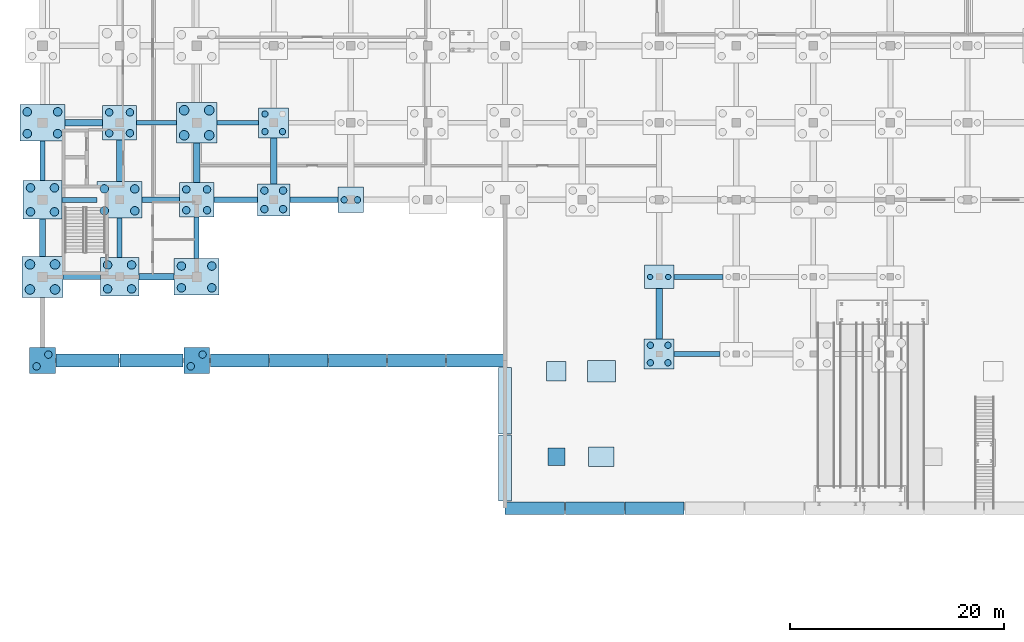
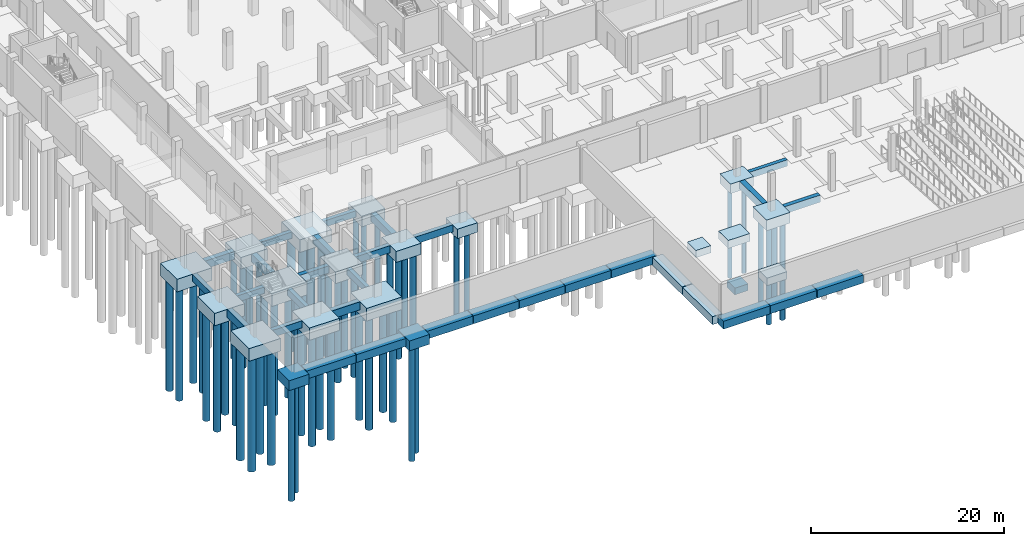
# One storey, part 1 of 38: 55 piles, 51 footings.
"""IFC4 building model written with IfcOpenShell, lengths in metres."""

from ifc_helpers import new_model, si_unit, direction, frame, origin, origin_2d, place, context, subcontext, project, spatial, rectangle, circle, extrude, material, material_profile, profile_set, type_object, element, save


model = new_model("IFC4")

# Units and contexts
model_context = context("Model", 3, precision=1e-05, world=origin(), true_north=direction((0.0, 1.0)))
body_context = subcontext(model_context, "Body", "Model", "MODEL_VIEW")
ifc_project = project(units=[si_unit("LENGTHUNIT", "METRE"), si_unit("AREAUNIT", "SQUARE_METRE"), si_unit("VOLUMEUNIT", "CUBIC_METRE"), si_unit("PLANEANGLEUNIT", "RADIAN"), si_unit("MASSUNIT", "GRAM", prefix="KILO")], contexts=[model_context])

# Site, building, storey
site_placement = place(None, origin())
site = spatial("IfcSite", under=ifc_project, at=site_placement, CompositionType="ELEMENT")
building_placement = place(site_placement, origin())
building = spatial("IfcBuilding", under=site, at=building_placement, Name="Valkovuoma Quantum and Materials Research Institute", CompositionType="ELEMENT")
storey_placement = place(building_placement, frame((0.0, 0.0, -4.800048828125)))
storey = spatial("IfcBuildingStorey", under=building, at=storey_placement, Name="B1", CompositionType="ELEMENT", Elevation=-4.800048828125)

# Footings
ifc_material_1 = material(Name="Concrete C35/45", Category="concrete")
footing_type_1 = type_object("IfcFootingType", Name="Cap-PC-02", PredefinedType="PILE_CAP", material=ifc_material_1)
footing_1_placement = place(storey_placement, frame((57.60009765625, 28.800048828125, -1.19970703125), z_axis=(0.0, 0.0, 1.0), x_axis=(1.0, 0.0, 0.0)))
element("IfcFooting", 1, at=footing_1_placement, inside=storey, type_object=footing_type_1, Name="B1 pile cap 09E", PredefinedType="PILE_CAP", context=body_context, shape_type="SweptSolid", body=[
    extrude(rectangle(XDim=2.75, YDim=2.199951171875, at=origin_2d()), origin(), (0.0, 0.0, 1.0), 1.199951171875),
])
for number, where, z_axis, x_axis, name in (
    (2, (0.0, 21.0, -1.25), (0.0, 0.0, 1.0), (1.0, 0.0, 0.0), "B1 south prow pile cap X=0.0"),
    (3, (14.39990234375, 21.0, -1.25), (0.0, 0.0, 1.0), (1.0, 0.0, 0.0), "B1 south prow pile cap X=14.4"),
):
    element("IfcFooting", number, at=place(storey_placement, frame(where, z_axis=z_axis, x_axis=x_axis)), inside=storey, type_object=footing_type_1, Name=name, PredefinedType="PILE_CAP", context=body_context, shape_type="SweptSolid", body=[
        extrude(rectangle(XDim=2.39990234375, YDim=2.39990234375, at=origin_2d()), origin(), (0.0, 0.0, 1.0), 1.25),
    ])
ifc_material_2 = material(Name="Concrete C35/45", Category="concrete")
footing_type_2 = type_object("IfcFootingType", Name="Cap-PC-03", PredefinedType="PILE_CAP", material=ifc_material_2)
footing_2_placement = place(storey_placement, frame((28.800048828125, 36.0, -1.19970703125), z_axis=(0.0, 0.0, 1.0), x_axis=(1.0, 0.0, 0.0)))
element("IfcFooting", 4, at=footing_2_placement, inside=storey, type_object=footing_type_2, Name="B1 pile cap 05F", PredefinedType="PILE_CAP", context=body_context, shape_type="SweptSolid", body=[
    extrude(rectangle(XDim=2.39990234375, YDim=2.39990234375, at=origin_2d()), origin(), (0.0, 0.0, 1.0), 1.199951171875),
])
ifc_material_3 = material(Name="Concrete C35/45", Category="concrete")
footing_type_3 = type_object("IfcFootingType", Name="Cap-PC-05", PredefinedType="PILE_CAP", material=ifc_material_3)
for number, where, z_axis, x_axis, name in (
    (5, (21.60009765625, 43.199951171875, -1.35009765625), (0.0, 0.0, 1.0), (1.0, 0.0, 0.0), "B1 pile cap 04G"),
    (6, (57.60009765625, 21.60009765625, -1.35009765625), (0.0, 0.0, 1.0), (1.0, 0.0, 0.0), "B1 pile cap 09D"),
):
    element("IfcFooting", number, at=place(storey_placement, frame(where, z_axis=z_axis, x_axis=x_axis)), inside=storey, type_object=footing_type_3, Name=name, PredefinedType="PILE_CAP", context=body_context, shape_type="SweptSolid", body=[
        extrude(rectangle(XDim=2.800048828125, YDim=2.800048828125, at=origin_2d()), origin(), (0.0, 0.0, 1.0), 1.35009765625),
    ])
ifc_material_4 = material(Name="Concrete C35/45", Category="concrete")
footing_type_4 = type_object("IfcFootingType", Name="Cap-PC-06", PredefinedType="PILE_CAP", material=ifc_material_4)
footing_3_placement = place(storey_placement, frame((21.60009765625, 36.0, -1.39990234375), z_axis=(0.0, 0.0, 1.0), x_axis=(1.0, 0.0, 0.0)))
element("IfcFooting", 7, at=footing_3_placement, inside=storey, type_object=footing_type_4, Name="B1 pile cap 04F", PredefinedType="PILE_CAP", context=body_context, shape_type="SweptSolid", body=[
    extrude(rectangle(XDim=3.0, YDim=3.0, at=origin_2d()), origin(), (0.0, 0.0, 1.0), 1.39990234375),
])
ifc_material_5 = material(Name="Concrete C35/45", Category="concrete")
footing_type_5 = type_object("IfcFootingType", Name="Cap-PC-07", PredefinedType="PILE_CAP", material=ifc_material_5)
for number, where, z_axis, x_axis, name in (
    (8, (7.199951171875, 43.199951171875, -1.44970703125), (0.0, 0.0, 1.0), (1.0, 0.0, 0.0), "B1 pile cap 02G"),
    (9, (14.39990234375, 36.0, -1.44970703125), (0.0, 0.0, 1.0), (1.0, 0.0, 0.0), "B1 pile cap 03F"),
):
    element("IfcFooting", number, at=place(storey_placement, frame(where, z_axis=z_axis, x_axis=x_axis)), inside=storey, type_object=footing_type_5, Name=name, PredefinedType="PILE_CAP", context=body_context, shape_type="SweptSolid", body=[
        extrude(rectangle(XDim=3.199951171875, YDim=3.199951171875, at=origin_2d()), origin(), (0.0, 0.0, 1.0), 1.449951171875),
    ])
ifc_material_6 = material(Name="Concrete C35/45", Category="concrete")
footing_type_6 = type_object("IfcFootingType", Name="Cap-PC-09", PredefinedType="PILE_CAP", material=ifc_material_6)
for number, where, z_axis, x_axis, name in (
    (10, (0.0, 36.0, -1.5498046875), (0.0, 0.0, 1.0), (1.0, 0.0, 0.0), "B1 pile cap 01F"),
    (11, (7.199951171875, 28.800048828125, -1.5498046875), (0.0, 0.0, 1.0), (1.0, 0.0, 0.0), "B1 pile cap 02E"),
):
    element("IfcFooting", number, at=place(storey_placement, frame(where, z_axis=z_axis, x_axis=x_axis)), inside=storey, type_object=footing_type_6, Name=name, PredefinedType="PILE_CAP", context=body_context, shape_type="SweptSolid", body=[
        extrude(rectangle(XDim=3.60009765625, YDim=3.60009765625, at=origin_2d()), origin(), (0.0, 0.0, 1.0), 1.550048828125),
    ])
ifc_material_7 = material(Name="Concrete C35/45", Category="concrete")
footing_type_7 = type_object("IfcFootingType", Name="Cap-PC-10", PredefinedType="PILE_CAP", material=ifc_material_7)
for number, where, z_axis, x_axis, name in (
    (12, (0.0, 28.800048828125, -1.60009765625), (0.0, 0.0, 1.0), (1.0, 0.0, 0.0), "B1 pile cap 01E"),
    (13, (14.39990234375, 43.199951171875, -1.60009765625), (0.0, 0.0, 1.0), (1.0, 0.0, 0.0), "B1 pile cap 03G"),
):
    element("IfcFooting", number, at=place(storey_placement, frame(where, z_axis=z_axis, x_axis=x_axis)), inside=storey, type_object=footing_type_7, Name=name, PredefinedType="PILE_CAP", context=body_context, shape_type="SweptSolid", body=[
        extrude(rectangle(XDim=3.800048828125, YDim=3.800048828125, at=origin_2d()), origin(), (0.0, 0.0, 1.0), 1.60009765625),
    ])
ifc_material_8 = material(Name="Concrete C35/45", Category="concrete")
footing_type_8 = type_object("IfcFootingType", Name="Cap-PC-16", PredefinedType="PILE_CAP", material=ifc_material_8)
for number, where, z_axis, x_axis, name in (
    (14, (0.0, 43.199951171875, -1.60009765625), (0.0, 0.0, 1.0), (1.0, 0.0, 0.0), "B1 pile cap 01G"),
    (15, (7.199951171875, 36.0, -1.60009765625), (0.0, 0.0, 1.0), (1.0, 0.0, 0.0), "B1 pile cap 02F"),
    (16, (14.39990234375, 28.800048828125, -1.60009765625), (0.0, 0.0, 1.0), (1.0, 0.0, 0.0), "B1 pile cap 03E"),
):
    element("IfcFooting", number, at=place(storey_placement, frame(where, z_axis=z_axis, x_axis=x_axis)), inside=storey, type_object=footing_type_8, Name=name, PredefinedType="PILE_CAP", context=body_context, shape_type="SweptSolid", body=[
        extrude(rectangle(XDim=4.199951171875, YDim=3.39990234375, at=origin_2d()), origin(), (0.0, 0.0, 1.0), 1.60009765625),
    ])
ifc_material_9 = material(Name="Concrete C35/45", Category="concrete")
footing_type_9 = type_object("IfcFootingType", Name="GndBeam-FB-01", PredefinedType="FOOTING_BEAM", material=ifc_material_9)
footing_4_placement = place(storey_placement, frame((3.449951171875, 36.0, -0.7998046875), z_axis=(0.0, 0.0, 1.0), x_axis=(1.0, 0.0, 0.0)))
element("IfcFooting", 17, at=footing_4_placement, inside=storey, type_object=footing_type_9, Name="B1 ground tie beam X-003", PredefinedType="FOOTING_BEAM", context=body_context, shape_type="SweptSolid", body=[
    extrude(rectangle(XDim=3.300048828125, YDim=0.449951171875, at=origin_2d()), origin(), (0.0, 0.0, 1.0), 0.800048828125),
])
for number, where, z_axis, x_axis, name in (
    (18, (7.199951171875, 32.449951171875, -0.7998046875), (0.0, 0.0, 1.0), (0.0, 1.0, 0.0), "B1 ground tie beam Y-021"),
    (19, (10.64990234375, 43.199951171875, -0.7998046875), (0.0, 0.0, 1.0), (1.0, 0.0, 0.0), "B1 ground tie beam X-024"),
):
    element("IfcFooting", number, at=place(storey_placement, frame(where, z_axis=z_axis, x_axis=x_axis)), inside=storey, type_object=footing_type_9, Name=name, PredefinedType="FOOTING_BEAM", context=body_context, shape_type="SweptSolid", body=[
        extrude(rectangle(XDim=3.699951171875, YDim=0.449951171875, at=origin_2d()), origin(), (0.0, 0.0, 1.0), 0.800048828125),
    ])
for number, where, z_axis, x_axis, name in (
    (20, (14.39990234375, 32.449951171875, -0.7998046875), (0.0, 0.0, 1.0), (0.0, 1.0, 0.0), "B1 ground tie beam Y-039"),
    (21, (18.25, 43.199951171875, -0.7998046875), (0.0, 0.0, 1.0), (1.0, 0.0, 0.0), "B1 ground tie beam X-042"),
):
    element("IfcFooting", number, at=place(storey_placement, frame(where, z_axis=z_axis, x_axis=x_axis)), inside=storey, type_object=footing_type_9, Name=name, PredefinedType="FOOTING_BEAM", context=body_context, shape_type="SweptSolid", body=[
        extrude(rectangle(XDim=3.89990234375, YDim=0.449951171875, at=origin_2d()), origin(), (0.0, 0.0, 1.0), 0.800048828125),
    ])
footing_5_placement = place(storey_placement, frame((61.262451171875, 28.800048828125, -0.7998046875), z_axis=(0.0, 0.0, 1.0), x_axis=(1.0, 0.0, 0.0)))
element("IfcFooting", 22, at=footing_5_placement, inside=storey, type_object=footing_type_9, Name="B1 ground tie beam X-162", PredefinedType="FOOTING_BEAM", context=body_context, shape_type="SweptSolid", body=[
    extrude(rectangle(XDim=4.574951171875, YDim=0.449951171875, at=origin_2d()), origin(), (0.0, 0.0, 1.0), 0.800048828125),
])
ifc_material_10 = material(Name="Concrete C35/45", Category="concrete")
footing_type_10 = type_object("IfcFootingType", Name="GndBeam-FB-02", PredefinedType="FOOTING_BEAM", material=ifc_material_10)
footing_6_placement = place(storey_placement, frame((3.64990234375, 28.800048828125, -0.89990234375), z_axis=(0.0, 0.0, 1.0), x_axis=(1.0, 0.0, 0.0)))
element("IfcFooting", 23, at=footing_6_placement, inside=storey, type_object=footing_type_10, Name="B1 ground tie beam X-001", PredefinedType="FOOTING_BEAM", context=body_context, shape_type="SweptSolid", body=[
    extrude(rectangle(XDim=3.5, YDim=0.5, at=origin_2d()), origin(), (0.0, 0.0, 1.0), 0.89990234375),
])
footing_7_placement = place(storey_placement, frame((0.0, 39.64990234375, -0.89990234375), z_axis=(0.0, 0.0, 1.0), x_axis=(0.0, 1.0, 0.0)))
element("IfcFooting", 24, at=footing_7_placement, inside=storey, type_object=footing_type_10, Name="B1 ground tie beam Y-004", PredefinedType="FOOTING_BEAM", context=body_context, shape_type="SweptSolid", body=[
    extrude(rectangle(XDim=3.699951171875, YDim=0.5, at=origin_2d()), origin(), (0.0, 0.0, 1.0), 0.89990234375),
])
footing_8_placement = place(storey_placement, frame((11.050048828125, 36.0, -0.89990234375), z_axis=(0.0, 0.0, 1.0), x_axis=(1.0, 0.0, 0.0)))
element("IfcFooting", 25, at=footing_8_placement, inside=storey, type_object=footing_type_10, Name="B1 ground tie beam X-022", PredefinedType="FOOTING_BEAM", context=body_context, shape_type="SweptSolid", body=[
    extrude(rectangle(XDim=3.5, YDim=0.5, at=origin_2d()), origin(), (0.0, 0.0, 1.0), 0.89990234375),
])
footing_9_placement = place(storey_placement, frame((18.050048828125, 36.0, -0.89990234375), z_axis=(0.0, 0.0, 1.0), x_axis=(1.0, 0.0, 0.0)))
element("IfcFooting", 26, at=footing_9_placement, inside=storey, type_object=footing_type_10, Name="B1 ground tie beam X-040", PredefinedType="FOOTING_BEAM", context=body_context, shape_type="SweptSolid", body=[
    extrude(rectangle(XDim=4.10009765625, YDim=0.5, at=origin_2d()), origin(), (0.0, 0.0, 1.0), 0.89990234375),
])
footing_10_placement = place(storey_placement, frame((25.35009765625, 36.0, -0.89990234375), z_axis=(0.0, 0.0, 1.0), x_axis=(1.0, 0.0, 0.0)))
element("IfcFooting", 27, at=footing_10_placement, inside=storey, type_object=footing_type_10, Name="B1 ground tie beam X-061", PredefinedType="FOOTING_BEAM", context=body_context, shape_type="SweptSolid", body=[
    extrude(rectangle(XDim=4.5, YDim=0.5, at=origin_2d()), origin(), (0.0, 0.0, 1.0), 0.89990234375),
])
footing_11_placement = place(storey_placement, frame((61.14990234375, 21.60009765625, -0.89990234375), z_axis=(0.0, 0.0, 1.0), x_axis=(1.0, 0.0, 0.0)))
element("IfcFooting", 28, at=footing_11_placement, inside=storey, type_object=footing_type_10, Name="B1 ground tie beam X-160", PredefinedType="FOOTING_BEAM", context=body_context, shape_type="SweptSolid", body=[
    extrude(rectangle(XDim=4.300048828125, YDim=0.5, at=origin_2d()), origin(), (0.0, 0.0, 1.0), 0.89990234375),
])
ifc_material_11 = material(Name="Concrete C35/45", Category="concrete")
footing_type_11 = type_object("IfcFootingType", Name="GndBeam-FB-03", PredefinedType="FOOTING_BEAM", material=ifc_material_11)
for number, where, z_axis, x_axis, name in (
    (29, (0.0, 32.449951171875, -1.0), (0.0, 0.0, 1.0), (0.0, 1.0, 0.0), "B1 ground tie beam Y-002"),
    (30, (3.85009765625, 43.199951171875, -1.0), (0.0, 0.0, 1.0), (1.0, 0.0, 0.0), "B1 ground tie beam X-005"),
):
    element("IfcFooting", number, at=place(storey_placement, frame(where, z_axis=z_axis, x_axis=x_axis)), inside=storey, type_object=footing_type_11, Name=name, PredefinedType="FOOTING_BEAM", context=body_context, shape_type="SweptSolid", body=[
        extrude(rectangle(XDim=3.5, YDim=0.60009765625, at=origin_2d()), origin(), (0.0, 0.0, 1.0), 1.0),
    ])
footing_12_placement = place(storey_placement, frame((10.64990234375, 28.800048828125, -1.0), z_axis=(0.0, 0.0, 1.0), x_axis=(1.0, 0.0, 0.0)))
element("IfcFooting", 31, at=footing_12_placement, inside=storey, type_object=footing_type_11, Name="B1 ground tie beam X-020", PredefinedType="FOOTING_BEAM", context=body_context, shape_type="SweptSolid", body=[
    extrude(rectangle(XDim=3.300048828125, YDim=0.60009765625, at=origin_2d()), origin(), (0.0, 0.0, 1.0), 1.0),
])
footing_13_placement = place(storey_placement, frame((7.199951171875, 39.64990234375, -1.0), z_axis=(0.0, 0.0, 1.0), x_axis=(0.0, 1.0, 0.0)))
element("IfcFooting", 32, at=footing_13_placement, inside=storey, type_object=footing_type_11, Name="B1 ground tie beam Y-023", PredefinedType="FOOTING_BEAM", context=body_context, shape_type="SweptSolid", body=[
    extrude(rectangle(XDim=3.89990234375, YDim=0.60009765625, at=origin_2d()), origin(), (0.0, 0.0, 1.0), 1.0),
])
footing_14_placement = place(storey_placement, frame((14.39990234375, 39.449951171875, -1.0), z_axis=(0.0, 0.0, 1.0), x_axis=(0.0, 1.0, 0.0)))
element("IfcFooting", 33, at=footing_14_placement, inside=storey, type_object=footing_type_11, Name="B1 ground tie beam Y-041", PredefinedType="FOOTING_BEAM", context=body_context, shape_type="SweptSolid", body=[
    extrude(rectangle(XDim=3.699951171875, YDim=0.60009765625, at=origin_2d()), origin(), (0.0, 0.0, 1.0), 1.0),
])
footing_15_placement = place(storey_placement, frame((21.60009765625, 39.64990234375, -1.0), z_axis=(0.0, 0.0, 1.0), x_axis=(0.0, 1.0, 0.0)))
element("IfcFooting", 34, at=footing_15_placement, inside=storey, type_object=footing_type_11, Name="B1 ground tie beam Y-062", PredefinedType="FOOTING_BEAM", context=body_context, shape_type="SweptSolid", body=[
    extrude(rectangle(XDim=4.300048828125, YDim=0.60009765625, at=origin_2d()), origin(), (0.0, 0.0, 1.0), 1.0),
])
footing_16_placement = place(storey_placement, frame((57.60009765625, 25.35009765625, -1.0), z_axis=(0.0, 0.0, 1.0), x_axis=(0.0, 1.0, 0.0)))
element("IfcFooting", 35, at=footing_16_placement, inside=storey, type_object=footing_type_11, Name="B1 ground tie beam Y-161", PredefinedType="FOOTING_BEAM", context=body_context, shape_type="SweptSolid", body=[
    extrude(rectangle(XDim=4.699951171875, YDim=0.60009765625, at=origin_2d()), origin(), (0.0, 0.0, 1.0), 1.0),
])
ifc_material_12 = material(Name="Concrete C35/45", Category="concrete")
footing_type_12 = type_object("IfcFootingType", Name="Pad-PF-01", PredefinedType="PAD_FOOTING", material=ifc_material_12)
footing_17_placement = place(storey_placement, frame((48.0, 12.0, -0.85009765625), z_axis=(0.0, 0.0, 1.0), x_axis=(1.0, 0.0, 0.0)))
element("IfcFooting", 36, at=footing_17_placement, inside=storey, type_object=footing_type_12, Name="B1 pad footing 01", PredefinedType="PAD_FOOTING", context=body_context, shape_type="SweptSolid", body=[
    extrude(rectangle(XDim=1.60009765625, YDim=1.60009765625, at=origin_2d()), origin(), (0.0, 0.0, 1.0), 0.85009765625),
])
ifc_material_13 = material(Name="Concrete C35/45", Category="concrete")
footing_type_13 = type_object("IfcFootingType", Name="Pad-PF-02", PredefinedType="PAD_FOOTING", material=ifc_material_13)
footing_18_placement = place(storey_placement, frame((48.0, 20.0, -0.89990234375), z_axis=(0.0, 0.0, 1.0), x_axis=(1.0, 0.0, 0.0)))
element("IfcFooting", 37, at=footing_18_placement, inside=storey, type_object=footing_type_13, Name="B1 pad footing 02", PredefinedType="PAD_FOOTING", context=body_context, shape_type="SweptSolid", body=[
    extrude(rectangle(XDim=1.800048828125, YDim=1.800048828125, at=origin_2d()), origin(), (0.0, 0.0, 1.0), 0.89990234375),
])
ifc_material_14 = material(Name="Concrete C35/45", Category="concrete")
footing_type_14 = type_object("IfcFootingType", Name="Pad-PF-03", PredefinedType="PAD_FOOTING", material=ifc_material_14)
footing_19_placement = place(storey_placement, frame((52.199951171875, 12.0, -0.94970703125), z_axis=(0.0, 0.0, 1.0), x_axis=(1.0, 0.0, 0.0)))
element("IfcFooting", 38, at=footing_19_placement, inside=storey, type_object=footing_type_14, Name="B1 pad footing 03", PredefinedType="PAD_FOOTING", context=body_context, shape_type="SweptSolid", body=[
    extrude(rectangle(XDim=2.39990234375, YDim=1.800048828125, at=origin_2d()), origin(), (0.0, 0.0, 1.0), 0.949951171875),
])
ifc_material_15 = material(Name="Concrete C35/45", Category="concrete")
footing_type_15 = type_object("IfcFootingType", Name="Pad-PF-04", PredefinedType="PAD_FOOTING", material=ifc_material_15)
footing_20_placement = place(storey_placement, frame((52.199951171875, 20.0, -1.0), z_axis=(0.0, 0.0, 1.0), x_axis=(1.0, 0.0, 0.0)))
element("IfcFooting", 39, at=footing_20_placement, inside=storey, type_object=footing_type_15, Name="B1 pad footing 04", PredefinedType="PAD_FOOTING", context=body_context, shape_type="SweptSolid", body=[
    extrude(rectangle(XDim=2.60009765625, YDim=2.0, at=origin_2d()), origin(), (0.0, 0.0, 1.0), 1.0),
])
for number, where, z_axis, x_axis, name in (
    (40, (4.219970703125, 21.0, -1.0), (0.0, 0.0, 1.0), (1.0, 0.0, 0.0), "B1 retaining wall pad footing 045"),
    (41, (10.179931640625, 21.0, -1.0), (0.0, 0.0, 1.0), (1.0, 0.0, 0.0), "B1 retaining wall pad footing 046"),
):
    element("IfcFooting", number, at=place(storey_placement, frame(where, z_axis=z_axis, x_axis=x_axis)), inside=storey, type_object=footing_type_15, Name=name, PredefinedType="PAD_FOOTING", context=body_context, shape_type="SweptSolid", body=[
        extrude(rectangle(XDim=5.8798828125, YDim=1.199951171875, at=origin_2d()), origin(), (0.0, 0.0, 1.0), 1.0),
    ])
footing_21_placement = place(storey_placement, frame((18.412109375, 21.0, -1.0), z_axis=(0.0, 0.0, 1.0), x_axis=(1.0, 0.0, 0.0)))
element("IfcFooting", 42, at=footing_21_placement, inside=storey, type_object=footing_type_15, Name="B1 retaining wall pad footing 047", PredefinedType="PAD_FOOTING", context=body_context, shape_type="SweptSolid", body=[
    extrude(rectangle(XDim=5.464111328125, YDim=1.199951171875, at=origin_2d()), origin(), (0.0, 0.0, 1.0), 1.0),
])
for number, where, z_axis, x_axis, name in (
    (43, (23.93603515625, 21.0, -1.0), (0.0, 0.0, 1.0), (1.0, 0.0, 0.0), "B1 retaining wall pad footing 048"),
    (44, (29.43994140625, 21.0, -1.0), (0.0, 0.0, 1.0), (1.0, 0.0, 0.0), "B1 retaining wall pad footing 049"),
    (45, (34.944091796875, 21.0, -1.0), (0.0, 0.0, 1.0), (1.0, 0.0, 0.0), "B1 retaining wall pad footing 050"),
):
    element("IfcFooting", number, at=place(storey_placement, frame(where, z_axis=z_axis, x_axis=x_axis)), inside=storey, type_object=footing_type_15, Name=name, PredefinedType="PAD_FOOTING", context=body_context, shape_type="SweptSolid", body=[
        extrude(rectangle(XDim=5.424072265625, YDim=1.199951171875, at=origin_2d()), origin(), (0.0, 0.0, 1.0), 1.0),
    ])
footing_22_placement = place(storey_placement, frame((40.468017578125, 21.0, -1.0), z_axis=(0.0, 0.0, 1.0), x_axis=(1.0, 0.0, 0.0)))
element("IfcFooting", 46, at=footing_22_placement, inside=storey, type_object=footing_type_15, Name="B1 retaining wall pad footing 051", PredefinedType="PAD_FOOTING", context=body_context, shape_type="SweptSolid", body=[
    extrude(rectangle(XDim=5.464111328125, YDim=1.199951171875, at=origin_2d()), origin(), (0.0, 0.0, 1.0), 1.0),
])
footing_23_placement = place(storey_placement, frame((45.97607421875, 7.199951171875, -1.0), z_axis=(0.0, 0.0, 1.0), x_axis=(1.0, 0.0, 0.0)))
element("IfcFooting", 47, at=footing_23_placement, inside=storey, type_object=footing_type_15, Name="B1 retaining wall pad footing 052", PredefinedType="PAD_FOOTING", context=body_context, shape_type="SweptSolid", body=[
    extrude(rectangle(XDim=5.552001953125, YDim=1.199951171875, at=origin_2d()), origin(), (0.0, 0.0, 1.0), 1.0),
])
for number, where, z_axis, x_axis, name in (
    (48, (51.587890625, 7.199951171875, -1.0), (0.0, 0.0, 1.0), (1.0, 0.0, 0.0), "B1 retaining wall pad footing 053"),
    (49, (57.179931640625, 7.199951171875, -1.0), (0.0, 0.0, 1.0), (1.0, 0.0, 0.0), "B1 retaining wall pad footing 054"),
):
    element("IfcFooting", number, at=place(storey_placement, frame(where, z_axis=z_axis, x_axis=x_axis)), inside=storey, type_object=footing_type_15, Name=name, PredefinedType="PAD_FOOTING", context=body_context, shape_type="SweptSolid", body=[
        extrude(rectangle(XDim=5.511962890625, YDim=1.199951171875, at=origin_2d()), origin(), (0.0, 0.0, 1.0), 1.0),
    ])
for number, where, z_axis, x_axis, name in (
    (50, (43.199951171875, 10.969970703125, -1.0), (0.0, 0.0, 1.0), (0.0, 1.0, 0.0), "B1 retaining wall pad footing 062"),
    (51, (43.199951171875, 17.22998046875, -1.0), (0.0, 0.0, 1.0), (0.0, 1.0, 0.0), "B1 retaining wall pad footing 063"),
):
    element("IfcFooting", number, at=place(storey_placement, frame(where, z_axis=z_axis, x_axis=x_axis)), inside=storey, type_object=footing_type_15, Name=name, PredefinedType="PAD_FOOTING", context=body_context, shape_type="SweptSolid", body=[
        extrude(rectangle(XDim=6.179931640625, YDim=1.199951171875, at=origin_2d()), origin(), (0.0, 0.0, 1.0), 1.0),
    ])

# Piles
ifc_material_16 = material(Name="Concrete C40/50", Category="concrete")
ifc_material_profile_1 = material_profile(ifc_material_16, circle(Radius=0.300048828125, at=origin_2d()), Name="Concrete C40/50")
ifc_profile_set_1 = profile_set([ifc_material_profile_1], Name="Concrete C40/50")
pile_type_1 = type_object("IfcPileType", Name="Pile-PL-B600", PredefinedType="BORED", material=ifc_profile_set_1)
for number, where, z_axis, x_axis, name in (
    (52, (20.780029296875, 42.3798828125, -1.25), (0.0, 0.0, -1.0), (1.0, 0.0, 0.0), "B1 pile 04G-1"),
    (53, (22.419921875, 42.3798828125, -1.25), (0.0, 0.0, -1.0), (1.0, 0.0, 0.0), "B1 pile 04G-2"),
    (54, (20.780029296875, 44.02001953125, -1.25), (0.0, 0.0, -1.0), (1.0, 0.0, 0.0), "B1 pile 04G-3"),
):
    element("IfcPile", number, at=place(storey_placement, frame(where, z_axis=z_axis, x_axis=x_axis)), inside=storey, type_object=pile_type_1, Name=name, PredefinedType="BORED", context=body_context, shape_type="SweptSolid", body=[
        extrude(circle(Radius=0.300048828125, at=origin_2d()), origin(), (0.0, 0.0, 1.0), 12.35009765625),
    ])
for number, where, z_axis, x_axis, name in (
    (55, (28.179931640625, 36.0, -1.099853515625), (0.0, 0.0, -1.0), (1.0, 0.0, 0.0), "B1 pile 05F-1"),
    (56, (29.419921875, 36.0, -1.099853515625), (0.0, 0.0, -1.0), (1.0, 0.0, 0.0), "B1 pile 05F-2"),
):
    element("IfcPile", number, at=place(storey_placement, frame(where, z_axis=z_axis, x_axis=x_axis)), inside=storey, type_object=pile_type_1, Name=name, PredefinedType="BORED", context=body_context, shape_type="SweptSolid", body=[
        extrude(circle(Radius=0.300048828125, at=origin_2d()), origin(), (0.0, 0.0, 1.0), 11.89990234375),
    ])
for number, where, z_axis, x_axis, name in (
    (57, (56.780029296875, 20.780029296875, -1.25), (0.0, 0.0, -1.0), (1.0, 0.0, 0.0), "B1 pile 09D-1"),
    (58, (58.419921875, 20.780029296875, -1.25), (0.0, 0.0, -1.0), (1.0, 0.0, 0.0), "B1 pile 09D-2"),
    (59, (56.780029296875, 22.419921875, -1.25), (0.0, 0.0, -1.0), (1.0, 0.0, 0.0), "B1 pile 09D-3"),
    (60, (58.419921875, 22.419921875, -1.25), (0.0, 0.0, -1.0), (1.0, 0.0, 0.0), "B1 pile 09D-4"),
):
    element("IfcPile", number, at=place(storey_placement, frame(where, z_axis=z_axis, x_axis=x_axis)), inside=storey, type_object=pile_type_1, Name=name, PredefinedType="BORED", context=body_context, shape_type="SweptSolid", body=[
        extrude(circle(Radius=0.300048828125, at=origin_2d()), origin(), (0.0, 0.0, 1.0), 12.35009765625),
    ])
ifc_material_17 = material(Name="Concrete C40/50", Category="concrete")
ifc_material_profile_2 = material_profile(ifc_material_17, circle(Radius=0.35009765625, at=origin_2d()), Name="Concrete C40/50")
ifc_profile_set_2 = profile_set([ifc_material_profile_2], Name="Concrete C40/50")
pile_type_2 = type_object("IfcPileType", Name="Pile-PL-B700", PredefinedType="BORED", material=ifc_profile_set_2)
for number, where, z_axis, x_axis, name in (
    (61, (6.22998046875, 42.22998046875, -1.349853515625), (0.0, 0.0, -1.0), (1.0, 0.0, 0.0), "B1 pile 02G-1"),
    (62, (8.169921875, 42.22998046875, -1.349853515625), (0.0, 0.0, -1.0), (1.0, 0.0, 0.0), "B1 pile 02G-2"),
    (63, (6.22998046875, 44.169921875, -1.349853515625), (0.0, 0.0, -1.0), (1.0, 0.0, 0.0), "B1 pile 02G-3"),
    (64, (8.169921875, 44.169921875, -1.349853515625), (0.0, 0.0, -1.0), (1.0, 0.0, 0.0), "B1 pile 02G-4"),
    (65, (13.429931640625, 35.030029296875, -1.349853515625), (0.0, 0.0, -1.0), (1.0, 0.0, 0.0), "B1 pile 03F-1"),
    (66, (15.3701171875, 35.030029296875, -1.349853515625), (0.0, 0.0, -1.0), (1.0, 0.0, 0.0), "B1 pile 03F-2"),
    (67, (13.429931640625, 36.969970703125, -1.349853515625), (0.0, 0.0, -1.0), (1.0, 0.0, 0.0), "B1 pile 03F-3"),
    (68, (15.3701171875, 36.969970703125, -1.349853515625), (0.0, 0.0, -1.0), (1.0, 0.0, 0.0), "B1 pile 03F-4"),
):
    element("IfcPile", number, at=place(storey_placement, frame(where, z_axis=z_axis, x_axis=x_axis)), inside=storey, type_object=pile_type_2, Name=name, PredefinedType="BORED", context=body_context, shape_type="SweptSolid", body=[
        extrude(circle(Radius=0.35009765625, at=origin_2d()), origin(), (0.0, 0.0, 1.0), 13.050048828125),
    ])
for number, where, z_axis, x_axis, name in (
    (69, (20.72998046875, 35.1298828125, -1.300048828125), (0.0, 0.0, -1.0), (1.0, 0.0, 0.0), "B1 pile 04F-1"),
    (70, (22.469970703125, 35.1298828125, -1.300048828125), (0.0, 0.0, -1.0), (1.0, 0.0, 0.0), "B1 pile 04F-2"),
    (71, (20.72998046875, 36.8701171875, -1.300048828125), (0.0, 0.0, -1.0), (1.0, 0.0, 0.0), "B1 pile 04F-3"),
    (72, (22.469970703125, 36.8701171875, -1.300048828125), (0.0, 0.0, -1.0), (1.0, 0.0, 0.0), "B1 pile 04F-4"),
):
    element("IfcPile", number, at=place(storey_placement, frame(where, z_axis=z_axis, x_axis=x_axis)), inside=storey, type_object=pile_type_2, Name=name, PredefinedType="BORED", context=body_context, shape_type="SweptSolid", body=[
        extrude(circle(Radius=0.35009765625, at=origin_2d()), origin(), (0.0, 0.0, 1.0), 12.699951171875),
    ])
for number, where, z_axis, x_axis, name in (
    (73, (-0.550048828125, 20.449951171875, -1.14990234375), (0.0, 0.0, -1.0), (1.0, 0.0, 0.0), "B1 south prow bored pile X=0.0"),
    (74, (0.550048828125, 21.550048828125, -1.14990234375), (0.0, 0.0, -1.0), (1.0, 0.0, 0.0), "B1 south prow bored pile X=0.0"),
    (75, (13.85009765625, 20.449951171875, -1.14990234375), (0.0, 0.0, -1.0), (1.0, 0.0, 0.0), "B1 south prow bored pile X=14.4"),
    (76, (14.949951171875, 21.550048828125, -1.14990234375), (0.0, 0.0, -1.0), (1.0, 0.0, 0.0), "B1 south prow bored pile X=14.4"),
):
    element("IfcPile", number, at=place(storey_placement, frame(where, z_axis=z_axis, x_axis=x_axis)), inside=storey, type_object=pile_type_2, Name=name, PredefinedType="BORED", context=body_context, shape_type="SweptSolid", body=[
        extrude(circle(Radius=0.35009765625, at=origin_2d()), origin(), (0.0, 0.0, 1.0), 14.5),
    ])
ifc_material_18 = material(Name="Concrete C40/50", Category="concrete")
ifc_material_profile_3 = material_profile(ifc_material_18, circle(Radius=0.39990234375, at=origin_2d()), Name="Concrete C40/50")
ifc_profile_set_3 = profile_set([ifc_material_profile_3], Name="Concrete C40/50")
pile_type_3 = type_object("IfcPileType", Name="Pile-PL-B800", PredefinedType="BORED", material=ifc_profile_set_3)
for number, where, z_axis, x_axis, name in (
    (77, (-1.1201171875, 34.8798828125, -1.449951171875), (0.0, 0.0, -1.0), (1.0, 0.0, 0.0), "B1 pile 01F-1"),
    (78, (1.1201171875, 34.8798828125, -1.449951171875), (0.0, 0.0, -1.0), (1.0, 0.0, 0.0), "B1 pile 01F-2"),
    (79, (-1.1201171875, 37.1201171875, -1.449951171875), (0.0, 0.0, -1.0), (1.0, 0.0, 0.0), "B1 pile 01F-3"),
    (80, (1.1201171875, 37.1201171875, -1.449951171875), (0.0, 0.0, -1.0), (1.0, 0.0, 0.0), "B1 pile 01F-4"),
):
    element("IfcPile", number, at=place(storey_placement, frame(where, z_axis=z_axis, x_axis=x_axis)), inside=storey, type_object=pile_type_3, Name=name, PredefinedType="BORED", context=body_context, shape_type="SweptSolid", body=[
        extrude(circle(Radius=0.39990234375, at=origin_2d()), origin(), (0.0, 0.0, 1.0), 13.949951171875),
    ])
for number, where, z_axis, x_axis, name in (
    (81, (-1.419921875, 42.179931640625, -1.5), (0.0, 0.0, -1.0), (1.0, 0.0, 0.0), "B1 pile 01G-1"),
    (82, (1.419921875, 42.179931640625, -1.5), (0.0, 0.0, -1.0), (1.0, 0.0, 0.0), "B1 pile 01G-2"),
    (83, (-1.419921875, 44.219970703125, -1.5), (0.0, 0.0, -1.0), (1.0, 0.0, 0.0), "B1 pile 01G-3"),
    (84, (1.419921875, 44.219970703125, -1.5), (0.0, 0.0, -1.0), (1.0, 0.0, 0.0), "B1 pile 01G-4"),
):
    element("IfcPile", number, at=place(storey_placement, frame(where, z_axis=z_axis, x_axis=x_axis)), inside=storey, type_object=pile_type_3, Name=name, PredefinedType="BORED", context=body_context, shape_type="SweptSolid", body=[
        extrude(circle(Radius=0.39990234375, at=origin_2d()), origin(), (0.0, 0.0, 1.0), 14.300048828125),
    ])
for number, where, z_axis, x_axis, name in (
    (85, (6.080078125, 27.679931640625, -1.449951171875), (0.0, 0.0, -1.0), (1.0, 0.0, 0.0), "B1 pile 02E-1"),
    (86, (8.320068359375, 27.679931640625, -1.449951171875), (0.0, 0.0, -1.0), (1.0, 0.0, 0.0), "B1 pile 02E-2"),
    (87, (6.080078125, 29.919921875, -1.449951171875), (0.0, 0.0, -1.0), (1.0, 0.0, 0.0), "B1 pile 02E-3"),
    (88, (8.320068359375, 29.919921875, -1.449951171875), (0.0, 0.0, -1.0), (1.0, 0.0, 0.0), "B1 pile 02E-4"),
):
    element("IfcPile", number, at=place(storey_placement, frame(where, z_axis=z_axis, x_axis=x_axis)), inside=storey, type_object=pile_type_3, Name=name, PredefinedType="BORED", context=body_context, shape_type="SweptSolid", body=[
        extrude(circle(Radius=0.39990234375, at=origin_2d()), origin(), (0.0, 0.0, 1.0), 13.949951171875),
    ])
for number, where, z_axis, x_axis, name in (
    (89, (5.780029296875, 34.97998046875, -1.5), (0.0, 0.0, -1.0), (1.0, 0.0, 0.0), "B1 pile 02F-1"),
    (90, (8.6201171875, 34.97998046875, -1.5), (0.0, 0.0, -1.0), (1.0, 0.0, 0.0), "B1 pile 02F-2"),
    (91, (5.780029296875, 37.02001953125, -1.5), (0.0, 0.0, -1.0), (1.0, 0.0, 0.0), "B1 pile 02F-3"),
    (92, (8.6201171875, 37.02001953125, -1.5), (0.0, 0.0, -1.0), (1.0, 0.0, 0.0), "B1 pile 02F-4"),
    (93, (12.97998046875, 27.780029296875, -1.5), (0.0, 0.0, -1.0), (1.0, 0.0, 0.0), "B1 pile 03E-1"),
    (94, (15.820068359375, 27.780029296875, -1.5), (0.0, 0.0, -1.0), (1.0, 0.0, 0.0), "B1 pile 03E-2"),
    (95, (12.97998046875, 29.820068359375, -1.5), (0.0, 0.0, -1.0), (1.0, 0.0, 0.0), "B1 pile 03E-3"),
    (96, (15.820068359375, 29.820068359375, -1.5), (0.0, 0.0, -1.0), (1.0, 0.0, 0.0), "B1 pile 03E-4"),
):
    element("IfcPile", number, at=place(storey_placement, frame(where, z_axis=z_axis, x_axis=x_axis)), inside=storey, type_object=pile_type_3, Name=name, PredefinedType="BORED", context=body_context, shape_type="SweptSolid", body=[
        extrude(circle(Radius=0.39990234375, at=origin_2d()), origin(), (0.0, 0.0, 1.0), 14.300048828125),
    ])
ifc_material_19 = material(Name="Concrete C40/50", Category="concrete")
ifc_material_profile_4 = material_profile(ifc_material_19, circle(Radius=0.449951171875, at=origin_2d()), Name="Concrete C40/50")
ifc_profile_set_4 = profile_set([ifc_material_profile_4], Name="Concrete C40/50")
pile_type_4 = type_object("IfcPileType", Name="Pile-PL-B900", PredefinedType="BORED", material=ifc_profile_set_4)
for number, where, z_axis, x_axis, name in (
    (97, (-1.169921875, 27.6298828125, -1.5), (0.0, 0.0, -1.0), (1.0, 0.0, 0.0), "B1 pile 01E-1"),
    (98, (1.169921875, 27.6298828125, -1.5), (0.0, 0.0, -1.0), (1.0, 0.0, 0.0), "B1 pile 01E-2"),
    (99, (-1.169921875, 29.969970703125, -1.5), (0.0, 0.0, -1.0), (1.0, 0.0, 0.0), "B1 pile 01E-3"),
    (100, (1.169921875, 29.969970703125, -1.5), (0.0, 0.0, -1.0), (1.0, 0.0, 0.0), "B1 pile 01E-4"),
    (101, (13.22998046875, 42.030029296875, -1.5), (0.0, 0.0, -1.0), (1.0, 0.0, 0.0), "B1 pile 03G-1"),
    (102, (15.570068359375, 42.030029296875, -1.5), (0.0, 0.0, -1.0), (1.0, 0.0, 0.0), "B1 pile 03G-2"),
    (103, (13.22998046875, 44.3701171875, -1.5), (0.0, 0.0, -1.0), (1.0, 0.0, 0.0), "B1 pile 03G-3"),
    (104, (15.570068359375, 44.3701171875, -1.5), (0.0, 0.0, -1.0), (1.0, 0.0, 0.0), "B1 pile 03G-4"),
):
    element("IfcPile", number, at=place(storey_placement, frame(where, z_axis=z_axis, x_axis=x_axis)), inside=storey, type_object=pile_type_4, Name=name, PredefinedType="BORED", context=body_context, shape_type="SweptSolid", body=[
        extrude(circle(Radius=0.449951171875, at=origin_2d()), origin(), (0.0, 0.0, 1.0), 14.5),
    ])
ifc_material_20 = material(Name="Steel S355J2H", Category="steel")
ifc_material_profile_5 = material_profile(ifc_material_20, circle(Radius=0.25, at=origin_2d()), Name="Steel S355J2H")
ifc_profile_set_5 = profile_set([ifc_material_profile_5], Name="Steel S355J2H")
pile_type_5 = type_object("IfcPileType", Name="Pile-PL-D500", PredefinedType="DRIVEN", material=ifc_profile_set_5)
for number, where, z_axis, x_axis, name in (
    (105, (56.7548828125, 28.800048828125, -1.099853515625), (0.0, 0.0, -1.0), (1.0, 0.0, 0.0), "B1 pile 09E-1"),
    (106, (58.445068359375, 28.800048828125, -1.099853515625), (0.0, 0.0, -1.0), (1.0, 0.0, 0.0), "B1 pile 09E-2"),
):
    element("IfcPile", number, at=place(storey_placement, frame(where, z_axis=z_axis, x_axis=x_axis)), inside=storey, type_object=pile_type_5, Name=name, PredefinedType="DRIVEN", context=body_context, shape_type="SweptSolid", body=[
        extrude(circle(Radius=0.25, at=origin_2d()), origin(), (0.0, 0.0, 1.0), 11.5),
    ])

save(model, "model.ifc")
